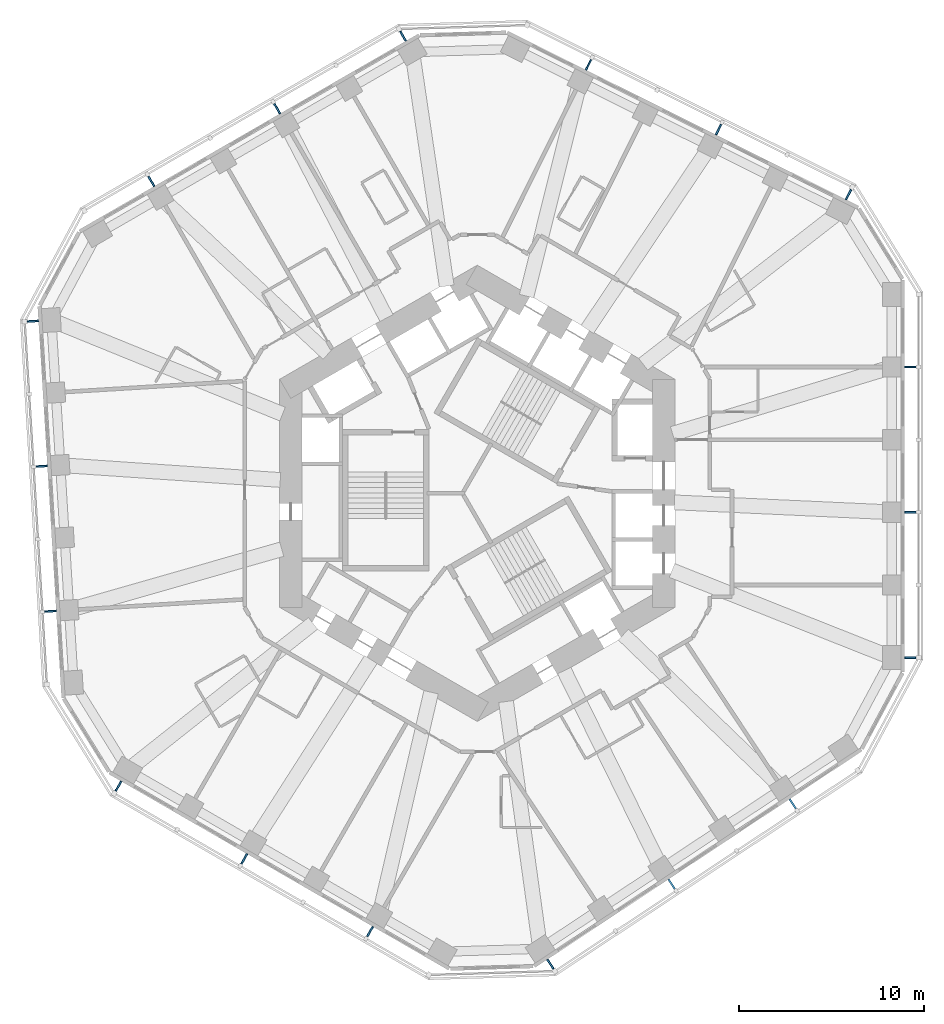
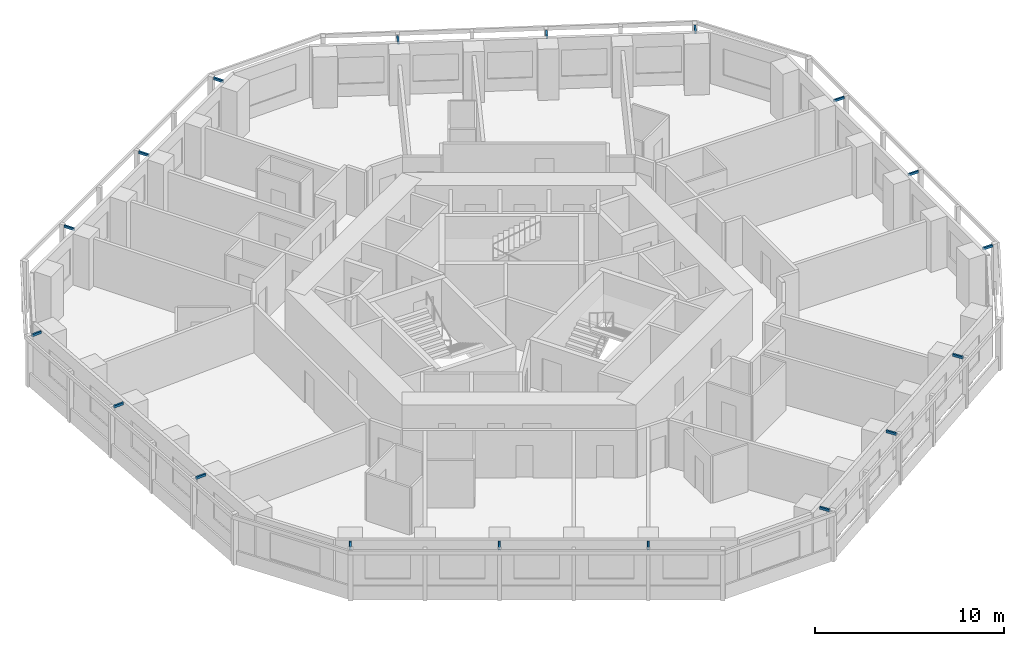
# One storey, part 11 of 12: 18 discrete accessories.
"""IFC4 building model written with IfcOpenShell, lengths in metres."""

from ifc_helpers import new_model, si_unit, direction, frame, origin, origin_2d, place, context, subcontext, project, spatial, rectangle, extrude, material, type_object, element, save


model = new_model("IFC4")

# Units and contexts
model_context = context("Model", 3, precision=1e-05, world=origin(), true_north=direction((0.0, 1.0)))
body_context = subcontext(model_context, "Body", "Model", "MODEL_VIEW")
ifc_project = project(units=[si_unit("LENGTHUNIT", "METRE"), si_unit("AREAUNIT", "SQUARE_METRE"), si_unit("VOLUMEUNIT", "CUBIC_METRE"), si_unit("PLANEANGLEUNIT", "RADIAN"), si_unit("MASSUNIT", "GRAM", prefix="KILO")], contexts=[model_context])

# Site, building, storey
site_placement = place(None, origin())
site = spatial("IfcSite", under=ifc_project, at=site_placement, CompositionType="ELEMENT")
building_placement = place(site_placement, origin())
building = spatial("IfcBuilding", under=site, at=building_placement, Name="Vanh Sen Convention Tower", CompositionType="ELEMENT")
storey_placement = place(building_placement, frame((0.0, 0.0, 110.0)))
storey = spatial("IfcBuildingStorey", under=building, at=storey_placement, Name="L26", CompositionType="ELEMENT", Elevation=110.0)

# Discrete accessories
ifc_material = material(Name="Steel S355", Category="steel")
discrete_accessory_type = type_object("IfcDiscreteAccessoryType", Name="Fin bracket 100 x 150", PredefinedType="BRACKET", material=ifc_material)
discrete_accessory_1_placement = place(storey_placement, frame((23.449951171875, -8.899169921875, 3.10009765625), z_axis=(0.0, 0.0, 1.0), x_axis=(1.0, 0.0, 0.0)))
element("IfcDiscreteAccessory", 1, at=discrete_accessory_1_placement, inside=storey, type_object=discrete_accessory_type, Name="Fin bracket E-1 L26", PredefinedType="BRACKET", context=body_context, shape_type="SweptSolid", body=[
    extrude(rectangle(XDim=0.60009765625, YDim=0.10009765625, at=origin_2d()), origin(), (0.0, 0.0, 1.0), 0.14990234375),
])
for number, where, z_axis, x_axis, name in (
    (2, (23.46240234375, -1.030029296875, 3.10009765625), (0.0, 0.0, 1.0), (1.0, 0.0, 0.0), "Fin bracket E-3 L26"),
    (3, (23.46240234375, 6.839111328125, 3.10009765625), (0.0, 0.0, 1.0), (1.0, 0.0, 0.0), "Fin bracket E-5 L26"),
):
    element("IfcDiscreteAccessory", number, at=place(storey_placement, frame(where, z_axis=z_axis, x_axis=x_axis)), inside=storey, type_object=discrete_accessory_type, Name=name, PredefinedType="BRACKET", context=body_context, shape_type="SweptSolid", body=[
        extrude(rectangle(XDim=0.625, YDim=0.10009765625, at=origin_2d()), origin(), (0.0, 0.0, 1.0), 0.14990234375),
    ])
discrete_accessory_2_placement = place(storey_placement, frame((20.10498046875, 16.178955078125, 3.10009765625), z_axis=(0.0, 0.0, 1.0), x_axis=(0.44619781311, 0.894934361602, 0.0)))
element("IfcDiscreteAccessory", 4, at=discrete_accessory_2_placement, inside=storey, type_object=discrete_accessory_type, Name="Fin bracket NE-1 L26", PredefinedType="BRACKET", context=body_context, shape_type="SweptSolid", body=[
    extrude(rectangle(XDim=0.60009765625, YDim=0.10009765625, at=origin_2d()), origin(), (0.0, 0.0, 1.0), 0.14990234375),
])
for number, where, z_axis, x_axis, name in (
    (5, (13.068359375, 19.701416015625, 3.10009765625), (0.0, 0.0, 1.0), (0.44619781311, 0.894934361602, 0.0), "Fin bracket NE-3 L26"),
    (6, (6.02587890625, 23.212646484375, 3.10009765625), (0.0, 0.0, 1.0), (0.44619781311, 0.894934361602, 0.0), "Fin bracket NE-5 L26"),
):
    element("IfcDiscreteAccessory", number, at=place(storey_placement, frame(where, z_axis=z_axis, x_axis=x_axis)), inside=storey, type_object=discrete_accessory_type, Name=name, PredefinedType="BRACKET", context=body_context, shape_type="SweptSolid", body=[
        extrude(rectangle(XDim=0.625, YDim=0.10009765625, at=origin_2d()), origin(), (0.0, 0.0, 1.0), 0.14990234375),
    ])
discrete_accessory_3_placement = place(storey_placement, frame((-4.01806640625, 24.7578125, 3.10009765625), z_axis=(0.0, 0.0, 1.0), x_axis=(-0.5, 0.866025403784, 0.0)))
element("IfcDiscreteAccessory", 7, at=discrete_accessory_3_placement, inside=storey, type_object=discrete_accessory_type, Name="Fin bracket NW-1 L26", PredefinedType="BRACKET", context=body_context, shape_type="SweptSolid", body=[
    extrude(rectangle(XDim=0.60009765625, YDim=0.10009765625, at=origin_2d()), origin(), (0.0, 0.0, 1.0), 0.14990234375),
])
for number, where, z_axis, x_axis, name in (
    (8, (-10.839111328125, 20.834228515625, 3.10009765625), (0.0, 0.0, 1.0), (-0.5, 0.866025403784, 0.0), "Fin bracket NW-3 L26"),
    (9, (-17.654296875, 16.899658203125, 3.10009765625), (0.0, 0.0, 1.0), (-0.5, 0.866025403784, 0.0), "Fin bracket NW-5 L26"),
):
    element("IfcDiscreteAccessory", number, at=place(storey_placement, frame(where, z_axis=z_axis, x_axis=x_axis)), inside=storey, type_object=discrete_accessory_type, Name=name, PredefinedType="BRACKET", context=body_context, shape_type="SweptSolid", body=[
        extrude(rectangle(XDim=0.625, YDim=0.10009765625, at=origin_2d()), origin(), (0.0, 0.0, 1.0), 0.14990234375),
    ])
discrete_accessory_4_placement = place(storey_placement, frame((-24.06396484375, 9.322021484375, 3.10009765625), z_axis=(0.0, 0.0, 1.0), x_axis=(-0.998134798422, -0.061048539535, 0.0)))
element("IfcDiscreteAccessory", 10, at=discrete_accessory_4_placement, inside=storey, type_object=discrete_accessory_type, Name="Fin bracket W-1 L26", PredefinedType="BRACKET", context=body_context, shape_type="SweptSolid", body=[
    extrude(rectangle(XDim=0.60009765625, YDim=0.10009765625, at=origin_2d()), origin(), (0.0, 0.0, 1.0), 0.14990234375),
])
for number, where, z_axis, x_axis, name in (
    (11, (-23.595947265625, 1.466796875, 3.10009765625), (0.0, 0.0, 1.0), (-0.998134798422, -0.061048539535, 0.0), "Fin bracket W-3 L26"),
    (12, (-23.115478515625, -6.3876953125, 3.10009765625), (0.0, 0.0, 1.0), (-0.998134798422, -0.061048539535, 0.0), "Fin bracket W-5 L26"),
):
    element("IfcDiscreteAccessory", number, at=place(storey_placement, frame(where, z_axis=z_axis, x_axis=x_axis)), inside=storey, type_object=discrete_accessory_type, Name=name, PredefinedType="BRACKET", context=body_context, shape_type="SweptSolid", body=[
        extrude(rectangle(XDim=0.625, YDim=0.10009765625, at=origin_2d()), origin(), (0.0, 0.0, 1.0), 0.14990234375),
    ])
discrete_accessory_5_placement = place(storey_placement, frame((-19.431884765625, -15.858642578125, 3.10009765625), z_axis=(0.0, 0.0, 1.0), x_axis=(-0.5, -0.866025403784, 0.0)))
element("IfcDiscreteAccessory", 13, at=discrete_accessory_5_placement, inside=storey, type_object=discrete_accessory_type, Name="Fin bracket SW-1 L26", PredefinedType="BRACKET", context=body_context, shape_type="SweptSolid", body=[
    extrude(rectangle(XDim=0.60009765625, YDim=0.10009765625, at=origin_2d()), origin(), (0.0, 0.0, 1.0), 0.14990234375),
])
for number, where, z_axis, x_axis, name in (
    (14, (-12.623291015625, -19.80419921875, 3.10009765625), (0.0, 0.0, 1.0), (-0.5, -0.866025403784, 0.0), "Fin bracket SW-3 L26"),
    (15, (-5.808349609375, -23.73876953125, 3.10009765625), (0.0, 0.0, 1.0), (-0.5, -0.866025403784, 0.0), "Fin bracket SW-5 L26"),
):
    element("IfcDiscreteAccessory", number, at=place(storey_placement, frame(where, z_axis=z_axis, x_axis=x_axis)), inside=storey, type_object=discrete_accessory_type, Name=name, PredefinedType="BRACKET", context=body_context, shape_type="SweptSolid", body=[
        extrude(rectangle(XDim=0.625, YDim=0.10009765625, at=origin_2d()), origin(), (0.0, 0.0, 1.0), 0.14990234375),
    ])
discrete_accessory_6_placement = place(storey_placement, frame((3.958740234375, -25.5009765625, 3.10009765625), z_axis=(0.0, 0.0, 1.0), x_axis=(0.551936985312, -0.833885822067, 0.0)))
element("IfcDiscreteAccessory", 16, at=discrete_accessory_6_placement, inside=storey, type_object=discrete_accessory_type, Name="Fin bracket SE-1 L26", PredefinedType="BRACKET", context=body_context, shape_type="SweptSolid", body=[
    extrude(rectangle(XDim=0.60009765625, YDim=0.10009765625, at=origin_2d()), origin(), (0.0, 0.0, 1.0), 0.14990234375),
])
for number, where, z_axis, x_axis, name in (
    (17, (10.527587890625, -21.168212890625, 3.10009765625), (0.0, 0.0, 1.0), (0.551936985312, -0.833885822067, 0.0), "Fin bracket SE-3 L26"),
    (18, (17.089599609375, -16.824951171875, 3.10009765625), (0.0, 0.0, 1.0), (0.551936985312, -0.833885822067, 0.0), "Fin bracket SE-5 L26"),
):
    element("IfcDiscreteAccessory", number, at=place(storey_placement, frame(where, z_axis=z_axis, x_axis=x_axis)), inside=storey, type_object=discrete_accessory_type, Name=name, PredefinedType="BRACKET", context=body_context, shape_type="SweptSolid", body=[
        extrude(rectangle(XDim=0.625, YDim=0.10009765625, at=origin_2d()), origin(), (0.0, 0.0, 1.0), 0.14990234375),
    ])

save(model, "model.ifc")
